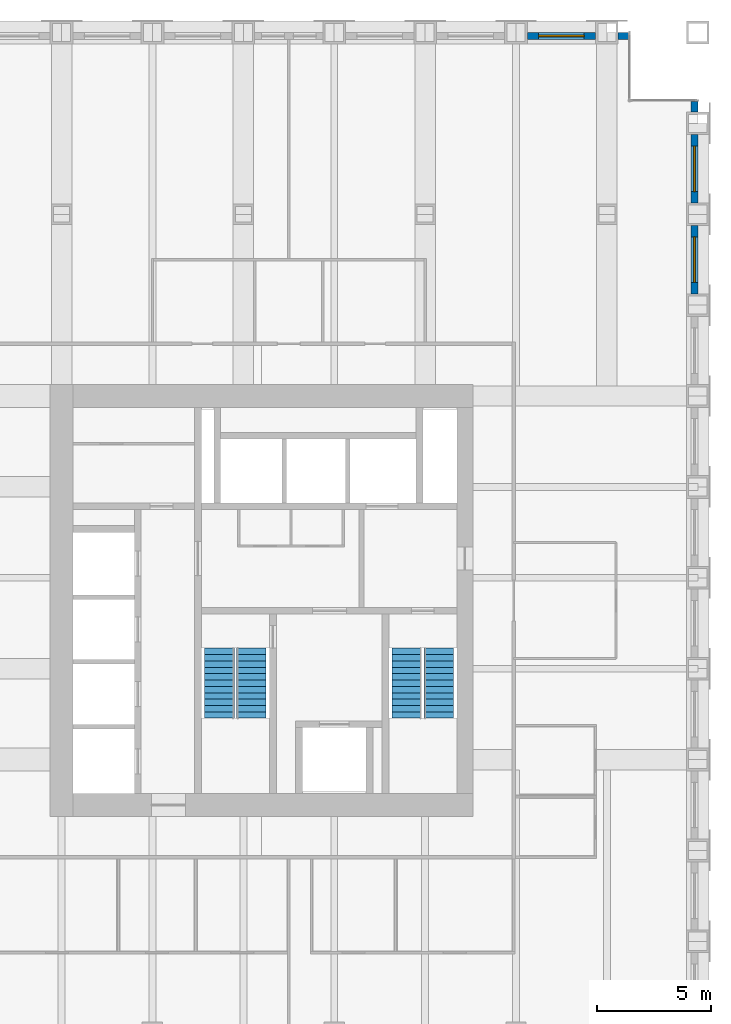
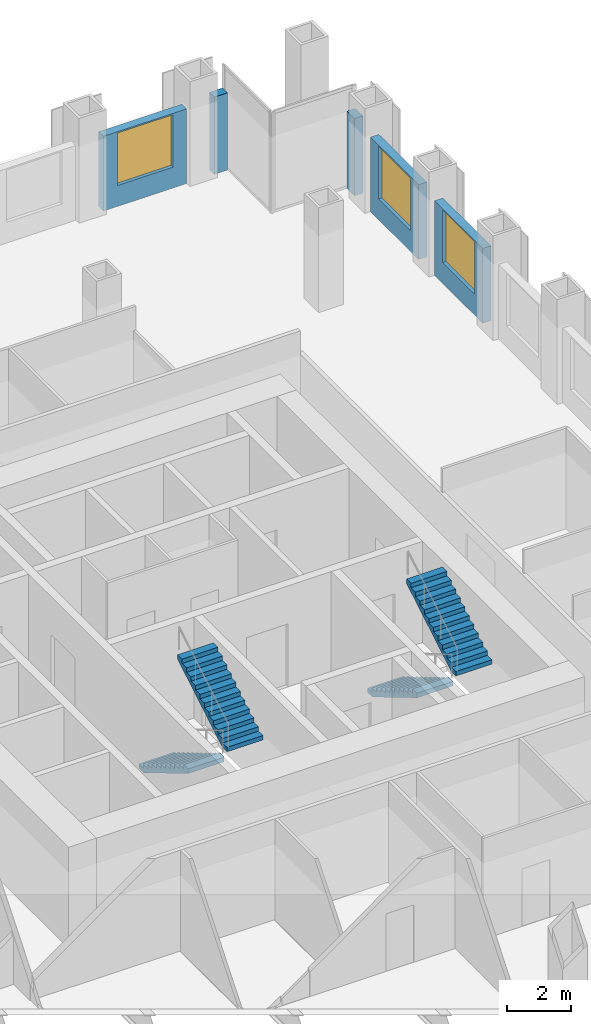
# One storey, part 11 of 12: 5 walls, 4 stair flights, 3 windows, 3 openings, 2 elements without a shape of their own.
"""IFC4 building model written with IfcOpenShell, lengths in metres."""

from ifc_helpers import new_model, si_unit, direction, frame, frame_2d, origin, place, context, subcontext, project, spatial, polyline, rectangle, outline, extrude, material, layer, layer_set, type_object, element, fill, aggregate, save


model = new_model("IFC4")

# Units and contexts
model_context = context("Model", 3, precision=1e-05, world=origin(), true_north=direction((0.0, 1.0)))
body_context = subcontext(model_context, "Body", "Model", "MODEL_VIEW")
ifc_project = project(units=[si_unit("LENGTHUNIT", "METRE"), si_unit("AREAUNIT", "SQUARE_METRE"), si_unit("VOLUMEUNIT", "CUBIC_METRE"), si_unit("PLANEANGLEUNIT", "RADIAN"), si_unit("MASSUNIT", "GRAM", prefix="KILO")], contexts=[model_context])

# Site, building, storey
site_placement = place(None, origin())
site = spatial("IfcSite", under=ifc_project, at=site_placement, CompositionType="ELEMENT")
building_placement = place(site_placement, origin())
building = spatial("IfcBuilding", under=site, at=building_placement, Name="Rimbunsela Tower", CompositionType="ELEMENT")
storey_placement = place(building_placement, frame((0.0, 0.0, 151.800048828125)))
storey = spatial("IfcBuildingStorey", under=building, at=storey_placement, Name="L36", CompositionType="ELEMENT", Elevation=151.800048828125)

# Wall, opening, window
ifc_material_1 = material(Name="Precast concrete fc' 35 MPa", Category="concrete")
ifc_layer = layer(ifc_material_1, 0.300048828125)
ifc_layer_set = layer_set([ifc_layer], Name="Precast concrete fc' 35 MPa")
wall_type = type_object("IfcWallType", Name="Precast facade panel 300", PredefinedType="ELEMENTEDWALL", material=ifc_layer_set)
wall_1_placement = place(storey_placement, frame((45.85009765625, 40.5, 0.0), z_axis=(0.0, 0.0, 1.0), x_axis=(0.0, 1.0, 0.0)))
wall_1 = element("IfcWall", 1, at=wall_1_placement, inside=storey, type_object=wall_type, Name="Facade panel E L36", PredefinedType="ELEMENTEDWALL", context=body_context, shape_type="SweptSolid", body=[
    extrude(rectangle(XDim=3.0, YDim=0.300048828125, at=frame_2d((1.5, 0.0))), origin(), (0.0, 0.0, 1.0), 2.849853515625),
])
opening_1_placement = place(wall_1_placement, frame((0.5, 0.0, 0.800048828125)))
opening_1 = element("IfcOpeningElement", 2, at=opening_1_placement, cuts=wall_1, Name="Opening W1", PredefinedType="OPENING", context=body_context, shape_type="SweptSolid", body=[
    extrude(rectangle(XDim=2.0, YDim=2.0, at=frame_2d((1.0, 1.0))), frame((0.0, 0.159912109375, 0.0), z_axis=(0.0, -1.0, 0.0), x_axis=(1.0, 0.0, 0.0)), (0.0, 0.0, 1.0), 0.320068359375),
])
ifc_material_2 = material(Name="Clear glass in aluminium frame", Category="aluminium")
window_type = type_object("IfcWindowType", Name="Window W1 2000x2000", PartitioningType="DOUBLE_PANEL_VERTICAL", PredefinedType="WINDOW", material=ifc_material_2)
window_1_placement = place(opening_1_placement, origin())
window_1 = element("IfcWindow", 3, at=window_1_placement, inside=storey, type_object=window_type, Name="Window L36", OverallHeight=2.0, OverallWidth=2.0, PartitioningType="SINGLE_PANEL", PredefinedType="WINDOW", context=body_context, shape_type="SweptSolid", body=[
    extrude(rectangle(XDim=2.0, YDim=2.0, at=frame_2d((1.0, 1.0))), frame((0.0, 0.030029296875, 0.0), z_axis=(0.0, -1.0, 0.0), x_axis=(1.0, 0.0, 0.0)), (0.0, 0.0, 1.0), 0.06005859375),
])
fill(opening_1, window_1)

wall_2_placement = place(storey_placement, frame((45.85009765625, 44.5, 0.0), z_axis=(0.0, 0.0, 1.0), x_axis=(0.0, 1.0, 0.0)))
wall_2 = element("IfcWall", 4, at=wall_2_placement, inside=storey, type_object=wall_type, Name="Facade panel E L36", PredefinedType="ELEMENTEDWALL", context=body_context, shape_type="SweptSolid", body=[
    extrude(rectangle(XDim=3.0, YDim=0.300048828125, at=frame_2d((1.5, 0.0))), origin(), (0.0, 0.0, 1.0), 2.849853515625),
])
opening_2_placement = place(wall_2_placement, frame((0.5, 0.0, 0.800048828125)))
opening_2 = element("IfcOpeningElement", 5, at=opening_2_placement, cuts=wall_2, Name="Opening W1", PredefinedType="OPENING", context=body_context, shape_type="SweptSolid", body=[
    extrude(rectangle(XDim=2.0, YDim=2.0, at=frame_2d((1.0, 1.0))), frame((0.0, 0.159912109375, 0.0), z_axis=(0.0, -1.0, 0.0), x_axis=(1.0, 0.0, 0.0)), (0.0, 0.0, 1.0), 0.320068359375),
])
window_2_placement = place(opening_2_placement, origin())
window_2 = element("IfcWindow", 6, at=window_2_placement, inside=storey, type_object=window_type, Name="Window L36", OverallHeight=2.0, OverallWidth=2.0, PartitioningType="SINGLE_PANEL", PredefinedType="WINDOW", context=body_context, shape_type="SweptSolid", body=[
    extrude(rectangle(XDim=2.0, YDim=2.0, at=frame_2d((1.0, 1.0))), frame((0.0, 0.030029296875, 0.0), z_axis=(0.0, -1.0, 0.0), x_axis=(1.0, 0.0, 0.0)), (0.0, 0.0, 1.0), 0.06005859375),
])
fill(opening_2, window_2)

# Wall
wall_3_placement = place(storey_placement, frame((45.85009765625, 48.5, 0.0), z_axis=(0.0, 0.0, 1.0), x_axis=(0.0, 1.0, 0.0)))
element("IfcWall", 7, at=wall_3_placement, inside=storey, type_object=wall_type, Name="Facade panel E L36", PredefinedType="ELEMENTEDWALL", context=body_context, shape_type="SweptSolid", body=[
    extrude(rectangle(XDim=0.469970703125, YDim=0.300048828125, at=frame_2d((0.23486328125, 0.0))), origin(), (0.0, 0.0, 1.0), 2.949951171875),
])

# Wall, opening, window
wall_4_placement = place(storey_placement, frame((41.5, 51.85009765625, 0.0), z_axis=(0.0, 0.0, 1.0), x_axis=(-1.0, 0.0, 0.0)))
wall_4 = element("IfcWall", 8, at=wall_4_placement, inside=storey, type_object=wall_type, Name="Facade panel N L36", PredefinedType="ELEMENTEDWALL", context=body_context, shape_type="SweptSolid", body=[
    extrude(rectangle(XDim=3.0, YDim=0.300048828125, at=frame_2d((1.5, 0.0))), origin(), (0.0, 0.0, 1.0), 2.849853515625),
])
opening_3_placement = place(wall_4_placement, frame((0.5, 0.0, 0.800048828125)))
opening_3 = element("IfcOpeningElement", 9, at=opening_3_placement, cuts=wall_4, Name="Opening W1", PredefinedType="OPENING", context=body_context, shape_type="SweptSolid", body=[
    extrude(rectangle(XDim=2.0, YDim=2.0, at=frame_2d((1.0, 1.0))), frame((0.0, 0.159912109375, 0.0), z_axis=(0.0, -1.0, 0.0), x_axis=(1.0, 0.0, 0.0)), (0.0, 0.0, 1.0), 0.320068359375),
])
window_3_placement = place(opening_3_placement, origin())
window_3 = element("IfcWindow", 10, at=window_3_placement, inside=storey, type_object=window_type, Name="Window L36", OverallHeight=2.0, OverallWidth=2.0, PartitioningType="SINGLE_PANEL", PredefinedType="WINDOW", context=body_context, shape_type="SweptSolid", body=[
    extrude(rectangle(XDim=2.0, YDim=2.0, at=frame_2d((1.0, 1.0))), frame((0.0, 0.030029296875, 0.0), z_axis=(0.0, -1.0, 0.0), x_axis=(1.0, 0.0, 0.0)), (0.0, 0.0, 1.0), 0.06005859375),
])
fill(opening_3, window_3)

# Wall
wall_5_placement = place(storey_placement, frame((42.969970703125, 51.85009765625, 0.0), z_axis=(0.0, 0.0, 1.0), x_axis=(-1.0, 0.0, 0.0)))
element("IfcWall", 11, at=wall_5_placement, inside=storey, type_object=wall_type, Name="Facade panel N L36", PredefinedType="ELEMENTEDWALL", context=body_context, shape_type="SweptSolid", body=[
    extrude(rectangle(XDim=0.469970703125, YDim=0.300048828125, at=frame_2d((0.23486328125, 0.0))), origin(), (0.0, 0.0, 1.0), 2.949951171875),
])

# Stair, stair flights
ifc_material_3 = material(Name="Concrete fc' 35 MPa", Category="concrete")
stair_type = type_object("IfcStairType", Name="Exit stair 24 risers", PredefinedType="HALF_TURN_STAIR", material=ifc_material_3)
stair_1_placement = place(storey_placement, origin())
stair_1 = element("IfcStair", 12, at=stair_1_placement, inside=storey, type_object=stair_type, Name="Exit stair A L36", PredefinedType="HALF_TURN_STAIR")
ifc_material_4 = material(Name="Concrete fc' 35 MPa", Category="concrete")
stair_flight_type = type_object("IfcStairFlightType", Name="Stair flight 12 risers 167", PredefinedType="STRAIGHT", material=ifc_material_4)
stair_flight_1_placement = place(storey_placement, frame((24.949951171875, 24.89990234375, 0.0), z_axis=(0.0, 0.0, 1.0), x_axis=(0.0, -1.0, 0.0)))
stair_flight_1 = element("IfcStairFlight", 13, at=stair_flight_1_placement, type_object=stair_flight_type, Name="ST-A flight 1", NumberOfRisers=12, NumberOfTreads=11, PredefinedType="STRAIGHT", RiserHeight=0.166666667, TreadLength=0.28, context=body_context, shape_type="SweptSolid", body=[
    extrude(outline(polyline([(0.0, 0.0), (0.0, 0.166748046875), (0.280029296875, 0.166748046875), (0.280029296875, 0.333251953125), (0.56005859375, 0.333251953125), (0.56005859375, 0.5), (0.840087890625, 0.5), (0.840087890625, 0.666748046875), (1.1201171875, 0.666748046875), (1.1201171875, 0.833251953125), (1.39990234375, 0.833251953125), (1.39990234375, 1.0), (1.679931640625, 1.0), (1.679931640625, 1.166748046875), (1.9599609375, 1.166748046875), (1.9599609375, 1.333251953125), (2.239990234375, 1.333251953125), (2.239990234375, 1.5), (2.52001953125, 1.5), (2.52001953125, 1.666748046875), (2.800048828125, 1.666748046875), (2.800048828125, 1.833251953125), (3.080078125, 1.833251953125), (3.080078125, 2.0), (3.080078125, 1.658935546875), (0.29296875, 0.0), (0.0, 0.0)])), frame((0.0, 0.64990234375, 0.0), z_axis=(0.0, -1.0, 0.0), x_axis=(1.0, 0.0, 0.0)), (0.0, 0.0, 1.0), 1.300048828125),
])
stair_flight_2_placement = place(storey_placement, frame((26.35009765625, 21.820068359375, 2.0), z_axis=(0.0, 0.0, 1.0), x_axis=(0.0, 1.0, 0.0)))
stair_flight_2 = element("IfcStairFlight", 14, at=stair_flight_2_placement, type_object=stair_flight_type, Name="ST-A flight 2", NumberOfRisers=12, NumberOfTreads=11, PredefinedType="STRAIGHT", RiserHeight=0.166666667, TreadLength=0.28, context=body_context, shape_type="SweptSolid", body=[
    extrude(outline(polyline([(0.0, 0.0), (0.0, 0.166748046875), (0.280029296875, 0.166748046875), (0.280029296875, 0.333251953125), (0.56005859375, 0.333251953125), (0.56005859375, 0.5), (0.840087890625, 0.5), (0.840087890625, 0.666748046875), (1.1201171875, 0.666748046875), (1.1201171875, 0.833251953125), (1.39990234375, 0.833251953125), (1.39990234375, 1.0), (1.679931640625, 1.0), (1.679931640625, 1.166748046875), (1.9599609375, 1.166748046875), (1.9599609375, 1.333251953125), (2.239990234375, 1.333251953125), (2.239990234375, 1.5), (2.52001953125, 1.5), (2.52001953125, 1.666748046875), (2.800048828125, 1.666748046875), (2.800048828125, 1.833251953125), (3.080078125, 1.833251953125), (3.080078125, 2.0), (3.080078125, 1.658935546875), (0.29296875, 0.0), (0.0, 0.0)])), frame((0.0, 0.64990234375, 0.0), z_axis=(0.0, -1.0, 0.0), x_axis=(1.0, 0.0, 0.0)), (0.0, 0.0, 1.0), 1.300048828125),
])
aggregate(stair_1, [stair_flight_1, stair_flight_2])

stair_2_placement = place(storey_placement, origin())
stair_2 = element("IfcStair", 15, at=stair_2_placement, inside=storey, type_object=stair_type, Name="Exit stair B L36", PredefinedType="HALF_TURN_STAIR")
stair_flight_3_placement = place(storey_placement, frame((33.199951171875, 24.89990234375, 0.0), z_axis=(0.0, 0.0, 1.0), x_axis=(0.0, -1.0, 0.0)))
stair_flight_3 = element("IfcStairFlight", 16, at=stair_flight_3_placement, type_object=stair_flight_type, Name="ST-B flight 1", NumberOfRisers=12, NumberOfTreads=11, PredefinedType="STRAIGHT", RiserHeight=0.166666667, TreadLength=0.28, context=body_context, shape_type="SweptSolid", body=[
    extrude(outline(polyline([(0.0, 0.0), (0.0, 0.166748046875), (0.280029296875, 0.166748046875), (0.280029296875, 0.333251953125), (0.56005859375, 0.333251953125), (0.56005859375, 0.5), (0.840087890625, 0.5), (0.840087890625, 0.666748046875), (1.1201171875, 0.666748046875), (1.1201171875, 0.833251953125), (1.39990234375, 0.833251953125), (1.39990234375, 1.0), (1.679931640625, 1.0), (1.679931640625, 1.166748046875), (1.9599609375, 1.166748046875), (1.9599609375, 1.333251953125), (2.239990234375, 1.333251953125), (2.239990234375, 1.5), (2.52001953125, 1.5), (2.52001953125, 1.666748046875), (2.800048828125, 1.666748046875), (2.800048828125, 1.833251953125), (3.080078125, 1.833251953125), (3.080078125, 2.0), (3.080078125, 1.658935546875), (0.29296875, 0.0), (0.0, 0.0)])), frame((0.0, 0.64990234375, 0.0), z_axis=(0.0, -1.0, 0.0), x_axis=(1.0, 0.0, 0.0)), (0.0, 0.0, 1.0), 1.300048828125),
])
stair_flight_4_placement = place(storey_placement, frame((34.60009765625, 21.820068359375, 2.0), z_axis=(0.0, 0.0, 1.0), x_axis=(0.0, 1.0, 0.0)))
stair_flight_4 = element("IfcStairFlight", 17, at=stair_flight_4_placement, type_object=stair_flight_type, Name="ST-B flight 2", NumberOfRisers=12, NumberOfTreads=11, PredefinedType="STRAIGHT", RiserHeight=0.166666667, TreadLength=0.28, context=body_context, shape_type="SweptSolid", body=[
    extrude(outline(polyline([(0.0, 0.0), (0.0, 0.166748046875), (0.280029296875, 0.166748046875), (0.280029296875, 0.333251953125), (0.56005859375, 0.333251953125), (0.56005859375, 0.5), (0.840087890625, 0.5), (0.840087890625, 0.666748046875), (1.1201171875, 0.666748046875), (1.1201171875, 0.833251953125), (1.39990234375, 0.833251953125), (1.39990234375, 1.0), (1.679931640625, 1.0), (1.679931640625, 1.166748046875), (1.9599609375, 1.166748046875), (1.9599609375, 1.333251953125), (2.239990234375, 1.333251953125), (2.239990234375, 1.5), (2.52001953125, 1.5), (2.52001953125, 1.666748046875), (2.800048828125, 1.666748046875), (2.800048828125, 1.833251953125), (3.080078125, 1.833251953125), (3.080078125, 2.0), (3.080078125, 1.658935546875), (0.29296875, 0.0), (0.0, 0.0)])), frame((0.0, 0.64990234375, 0.0), z_axis=(0.0, -1.0, 0.0), x_axis=(1.0, 0.0, 0.0)), (0.0, 0.0, 1.0), 1.300048828125),
])
aggregate(stair_2, [stair_flight_3, stair_flight_4])

save(model, "model.ifc")
